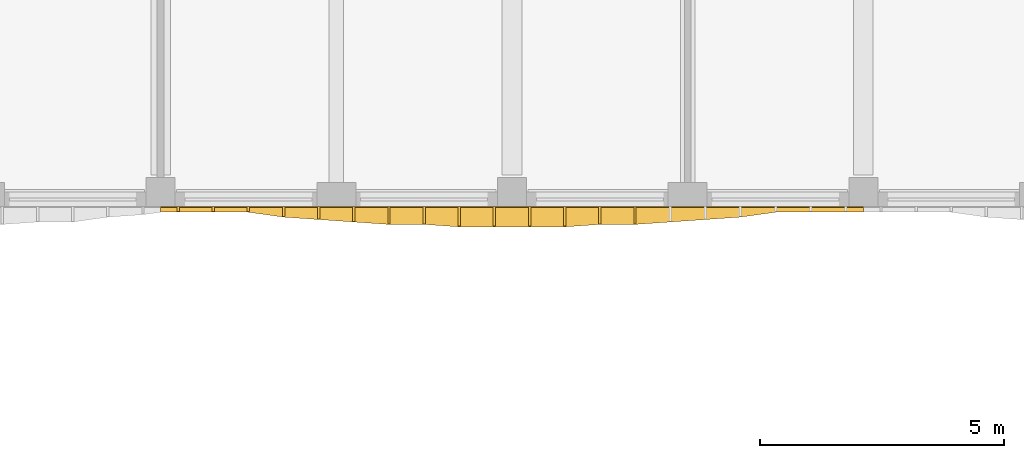
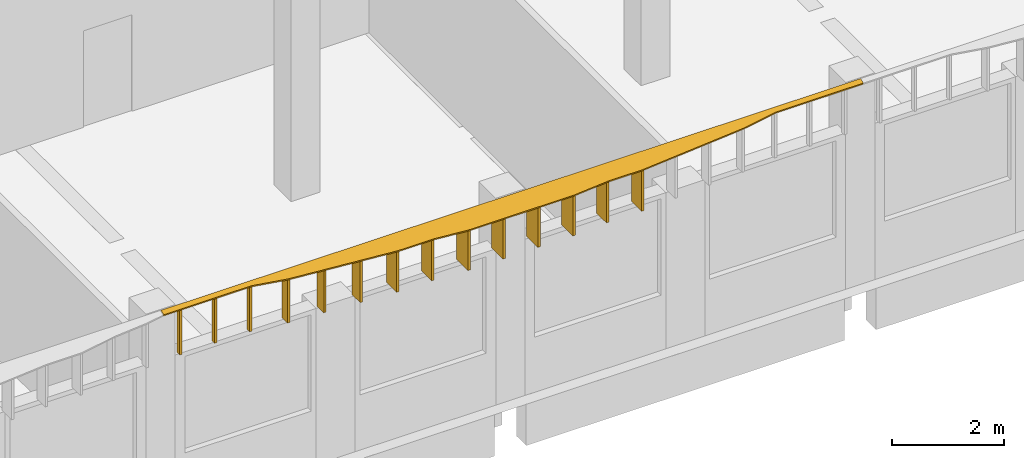
# One storey, part 31 of 44: 15 shading devices.
"""IFC4 building model written with IfcOpenShell, lengths in metres."""

import ifcopenshell
import ifcopenshell.guid

model = None  # the IFC model being written
_history = None  # IfcOwnerHistory: only IFC2X3 demands one
_inside = {}  # id of a spatial element -> (the spatial element, [elements in it])
_under = {}  # id of a project, library or spatial element -> (it, [spatial elements below it])
_declared = {}  # id of a project -> (the project, [libraries it declares])
_typed = {}  # id of a type object -> (the type object, [elements of that type])
_made_of = {}  # id of a material, layer set ... -> (it, [elements and type objects made of it])


def new_model(schema):
    """Start an empty IFC model of exactly this schema.

    Asked for "IFC4X3", IfcOpenShell would pick the latest addendum, in which some entities
    have other attributes; the version numbers below select the first issue.
    IFC2X3 requires an IfcOwnerHistory on every rooted entity: one is made here for all.
    """
    global model, _history
    if schema == "IFC4X3":
        model = ifcopenshell.file(schema_version=(4, 3, 0, 0))
    else:
        model = ifcopenshell.file(schema=schema)
    _inside.clear()
    _under.clear()
    _declared.clear()
    _typed.clear()
    _made_of.clear()
    _history = None
    if model.schema == "IFC2X3":
        org = make("IfcOrganization", Name="unknown")
        user = make(
            "IfcPersonAndOrganization",
            ThePerson=make("IfcPerson", FamilyName="unknown"),
            TheOrganization=org,
        )
        app = make(
            "IfcApplication",
            ApplicationDeveloper=org,
            Version="unknown",
            ApplicationFullName="unknown",
            ApplicationIdentifier="unknown",
        )
        _history = make(
            "IfcOwnerHistory",
            OwningUser=user,
            OwningApplication=app,
            ChangeAction="ADDED",
            CreationDate=0,
        )
    return model


def make(cls, **values):
    """One entity of the class cls with the attributes given. An attribute that is None is left unset."""
    return model.create_entity(
        cls, **{name: value for name, value in values.items() if value is not None}
    )


def rooted(cls, **values):
    """An entity with a GlobalId (a new one), such as an element, a storey or a relation."""
    return make(cls, GlobalId=ifcopenshell.guid.new(), OwnerHistory=_history, **values)


def si_unit(unit_type, name, prefix=None):
    """IfcSIUnit, for example si_unit("LENGTHUNIT", "METRE", prefix="MILLI")."""
    return make("IfcSIUnit", UnitType=unit_type, Prefix=prefix, Name=name)


def assignment(units):
    """IfcUnitAssignment: the units of a project."""
    return None if units is None else make("IfcUnitAssignment", Units=units)


def point(xyz):
    """IfcCartesianPoint."""
    return None if xyz is None else make("IfcCartesianPoint", Coordinates=xyz)


def direction(xyz):
    """IfcDirection."""
    return None if xyz is None else make("IfcDirection", DirectionRatios=xyz)


def frame(location, z_axis=None, x_axis=None):
    """IfcAxis2Placement3D, a coordinate frame: its origin and axes. An axis left out is left unset."""
    return make(
        "IfcAxis2Placement3D",
        Location=point(location),
        Axis=direction(z_axis),
        RefDirection=direction(x_axis),
    )


def origin():
    """The frame at (0, 0, 0) with its axes left unset."""
    return frame((0.0, 0.0, 0.0))


def place(relative_to, where):
    """IfcLocalPlacement: puts the frame where relative to a parent placement (None: the world)."""
    return make(
        "IfcLocalPlacement", PlacementRelTo=relative_to, RelativePlacement=where
    )


def context(
    kind, dimensions, precision=None, world=None, true_north=None, identifier=None
):
    """IfcGeometricRepresentationContext, for example the 3D "Model" context."""
    return make(
        "IfcGeometricRepresentationContext",
        ContextIdentifier=identifier,
        ContextType=kind,
        CoordinateSpaceDimension=dimensions,
        Precision=precision,
        WorldCoordinateSystem=world,
        TrueNorth=true_north,
    )


def subcontext(parent, identifier, kind, view, scale=None):
    """IfcGeometricRepresentationSubContext, for example "Body" below "Model"."""
    return make(
        "IfcGeometricRepresentationSubContext",
        ContextIdentifier=identifier,
        ContextType=kind,
        ParentContext=parent,
        TargetScale=scale,
        TargetView=view,
    )


def project(units=None, contexts=None):
    """IfcProject with its units and contexts."""
    return rooted(
        "IfcProject",
        Name="project",
        RepresentationContexts=contexts,
        UnitsInContext=assignment(units),
    )


def spatial(cls, under=None, at=None, **own):
    """A site, building, storey or space (cls), placed at a placement, below another one or the project."""
    s = rooted(cls, ObjectPlacement=at, **own)
    if under is not None:
        _under.setdefault(under.id(), (under, []))[1].append(s)
    return s


def polyline(points):
    """IfcPolyline through the points."""
    return make("IfcPolyline", Points=[point(p) for p in points])


def outline(outer, holes=None, kind="AREA"):
    """IfcArbitraryClosedProfileDef: a profile drawn as a closed curve; with holes, ...WithVoids."""
    if holes is None:
        return make("IfcArbitraryClosedProfileDef", ProfileType=kind, OuterCurve=outer)
    return make(
        "IfcArbitraryProfileDefWithVoids",
        ProfileType=kind,
        OuterCurve=outer,
        InnerCurves=holes,
    )


def extrude(swept, where, along, depth):
    """IfcExtrudedAreaSolid: the profile swept, set in the frame where, extruded along a direction by depth."""
    return make(
        "IfcExtrudedAreaSolid",
        SweptArea=swept,
        Position=where,
        ExtrudedDirection=direction(along),
        Depth=depth,
    )


def shape(context_of_items, identifier, shape_type, items):
    """IfcShapeRepresentation: the items that make up one representation, for example the "Body"."""
    return make(
        "IfcShapeRepresentation",
        ContextOfItems=context_of_items,
        RepresentationIdentifier=identifier,
        RepresentationType=shape_type,
        Items=items,
    )


def material(Name=None, Category=None):
    """IfcMaterial."""
    return make("IfcMaterial", Name=Name, Category=Category)


def layer(
    of_material, thickness, ventilated=None, Name=None, Category=None, Priority=None
):
    """IfcMaterialLayer: one layer of a wall or slab, of a material (None: an air gap)."""
    return make(
        "IfcMaterialLayer",
        Material=of_material,
        LayerThickness=thickness,
        IsVentilated=ventilated,
        Name=Name,
        Category=Category,
        Priority=Priority,
    )


def layer_set(layers, Name=None):
    """IfcMaterialLayerSet."""
    return make("IfcMaterialLayerSet", MaterialLayers=layers, LayerSetName=Name)


def made_of(thing, what):
    """Note that an element or type object is made of a material, layer set ...; save() writes the relation."""
    if what is not None:
        _made_of.setdefault(what.id(), (what, []))[1].append(thing)
    return thing


def type_object(cls, material=None, **own):
    """A type object (cls), such as IfcWallType, which elements share."""
    return made_of(rooted(cls, **own), material)


def element(
    cls,
    number,
    at=None,
    inside=None,
    cuts=None,
    type_object=None,
    material=None,
    context=None,
    identifier="Body",
    shape_type=None,
    held_by="IfcProductDefinitionShape",
    body=None,
    shapes=None,
    **own,
):
    """One element of the class cls, such as IfcWall. Its Tag is "e" and its number.

    at: its placement. inside: the storey or other place that contains it. cuts: it is an
    opening in that element (IfcRelVoidsElement). A single representation is given by context,
    identifier, shape_type and body (its items); several are given by shapes. held_by: the class
    of the entity that holds the representations. save() writes the other relations.
    """
    e = rooted(cls, Tag="e%d" % number, ObjectPlacement=at, **own)
    if body is not None:
        shapes = [shape(context, identifier, shape_type, body)]
    if shapes is not None:
        e.Representation = make(held_by, Representations=shapes)
    if inside is not None:
        _inside.setdefault(inside.id(), (inside, []))[1].append(e)
    if cuts is not None:
        rooted(
            "IfcRelVoidsElement", RelatingBuildingElement=cuts, RelatedOpeningElement=e
        )
    if type_object is not None:
        _typed.setdefault(type_object.id(), (type_object, []))[1].append(e)
    return made_of(e, material)


def aggregate(whole, parts):
    """IfcRelAggregates: a whole, such as a stair, and the parts it consists of."""
    return rooted("IfcRelAggregates", RelatingObject=whole, RelatedObjects=parts)


def save(model, path):
    """Write the relations noted so far, then the file.

    IfcRelAggregates (storeys below a building ...), IfcRelContainedInSpatialStructure (elements
    in a storey), IfcRelDefinesByType, IfcRelAssociatesMaterial and IfcRelDeclares: one each for
    every whole, place, type object, material and project.
    """
    for whole, parts in _under.values():
        aggregate(whole, parts)
    for where, things in _inside.values():
        rooted(
            "IfcRelContainedInSpatialStructure",
            RelatedElements=things,
            RelatingStructure=where,
        )
    for kind, things in _typed.values():
        rooted("IfcRelDefinesByType", RelatedObjects=things, RelatingType=kind)
    for what, things in _made_of.values():
        rooted("IfcRelAssociatesMaterial", RelatedObjects=things, RelatingMaterial=what)
    for by, libraries in _declared.values():
        rooted("IfcRelDeclares", RelatingContext=by, RelatedDefinitions=libraries)
    model.write(path)


model = new_model("IFC4")

# Units and contexts
model_context = context("Model", 3, precision=1e-05, world=origin(), true_north=direction((0.0, 1.0)))
body_context = subcontext(model_context, "Body", "Model", "MODEL_VIEW")
ifc_project = project(units=[si_unit("LENGTHUNIT", "METRE"), si_unit("AREAUNIT", "SQUARE_METRE"), si_unit("VOLUMEUNIT", "CUBIC_METRE"), si_unit("PLANEANGLEUNIT", "RADIAN"), si_unit("MASSUNIT", "GRAM", prefix="KILO")], contexts=[model_context])

# Site, building, storey
site_placement = place(None, origin())
site = spatial("IfcSite", under=ifc_project, at=site_placement, CompositionType="ELEMENT")
building_placement = place(site_placement, origin())
building = spatial("IfcBuilding", under=site, at=building_placement, Name="Ussher Court Research Institute", CompositionType="ELEMENT")
storey_placement = place(building_placement, frame((0.0, 0.0, 18.89990234375)))
storey = spatial("IfcBuildingStorey", under=building, at=storey_placement, Name="L04", CompositionType="ELEMENT", Elevation=18.89990234375)

# Shading devices
ifc_material_1 = material(Name="Bronze anodised aluminium", Category="aluminium")
ifc_layer_1 = layer(ifc_material_1, 0.050048828125)
ifc_layer_set_1 = layer_set([ifc_layer_1], Name="Bronze anodised aluminium")
shading_device_type_1 = type_object("IfcShadingDeviceType", Name="Brim blade 100 mm deep 1000 mm high canted 20 deg dry", PredefinedType="USERDEFINED", material=ifc_layer_set_1)
for number, where, z_axis, x_axis, name in (
    (1, (26.39990234375, 68.39990234375, 3.4501953125), (0.0, 0.0, 1.0), (0.0, -1.0, 0.0), "Brim blade BS17 L04"),
    (2, (25.679931640625, 68.39990234375, 3.4501953125), (0.0, 0.0, 1.0), (0.0, -1.0, 0.0), "Brim blade BS17 L04"),
    (3, (24.9599609375, 68.39990234375, 3.4501953125), (0.0, 0.0, 1.0), (0.0, -1.0, 0.0), "Brim blade BS17 L04"),
):
    element("IfcShadingDevice", number, at=place(storey_placement, frame(where, z_axis=z_axis, x_axis=x_axis)), inside=storey, type_object=shading_device_type_1, Name=name, ObjectType="BLADE", PredefinedType="USERDEFINED", context=body_context, shape_type="SweptSolid", body=[
        extrude(outline(polyline([(0.0, 0.0), (0.099853515625, 0.0), (0.10009765625, 0.963623046875), (0.0, 1.0), (0.0, 0.0)])), frame((0.0, 0.02490234375, 0.0), z_axis=(0.0, -1.0, 0.0), x_axis=(1.0, 0.0, 0.0)), (0.0, 0.0, 1.0), 0.050048828125),
    ])
ifc_material_2 = material(Name="Bronze anodised aluminium", Category="aluminium")
ifc_layer_2 = layer(ifc_material_2, 0.050048828125)
ifc_layer_set_2 = layer_set([ifc_layer_2], Name="Bronze anodised aluminium")
shading_device_type_2 = type_object("IfcShadingDeviceType", Name="Brim blade 200 mm deep 1000 mm high canted 20 deg dry", PredefinedType="USERDEFINED", material=ifc_layer_set_2)
shading_device_1_placement = place(storey_placement, frame((27.1201171875, 68.39990234375, 3.4501953125), z_axis=(0.0, 0.0, 1.0), x_axis=(0.0, -1.0, 0.0)))
element("IfcShadingDevice", 4, at=shading_device_1_placement, inside=storey, type_object=shading_device_type_2, Name="Brim blade BS15 L04", ObjectType="BLADE", PredefinedType="USERDEFINED", context=body_context, shape_type="SweptSolid", body=[
    extrude(outline(polyline([(0.0, 0.0), (0.199951171875, 0.0), (0.199951171875, 0.927001953125), (0.0, 1.0), (0.0, 0.0)])), frame((0.0, 0.02490234375, 0.0), z_axis=(0.0, -1.0, 0.0), x_axis=(1.0, 0.0, 0.0)), (0.0, 0.0, 1.0), 0.050048828125),
])
ifc_material_3 = material(Name="Bronze anodised aluminium", Category="aluminium")
ifc_layer_3 = layer(ifc_material_3, 0.050048828125)
ifc_layer_set_3 = layer_set([ifc_layer_3], Name="Bronze anodised aluminium")
shading_device_type_3 = type_object("IfcShadingDeviceType", Name="Brim blade 250 mm deep 1000 mm high canted 20 deg dry", PredefinedType="USERDEFINED", material=ifc_layer_set_3)
shading_device_2_placement = place(storey_placement, frame((27.840087890625, 68.39990234375, 3.4501953125), z_axis=(0.0, 0.0, 1.0), x_axis=(0.0, -1.0, 0.0)))
element("IfcShadingDevice", 5, at=shading_device_2_placement, inside=storey, type_object=shading_device_type_3, Name="Brim blade BS14 L04", ObjectType="BLADE", PredefinedType="USERDEFINED", context=body_context, shape_type="SweptSolid", body=[
    extrude(outline(polyline([(0.0, 0.0), (0.25, 0.0), (0.25, 0.908935546875), (0.0, 1.0), (0.0, 0.0)])), frame((0.0, 0.02490234375, 0.0), z_axis=(0.0, -1.0, 0.0), x_axis=(1.0, 0.0, 0.0)), (0.0, 0.0, 1.0), 0.050048828125),
])
ifc_material_4 = material(Name="Bronze anodised aluminium", Category="aluminium")
ifc_layer_4 = layer(ifc_material_4, 0.050048828125)
ifc_layer_set_4 = layer_set([ifc_layer_4], Name="Bronze anodised aluminium")
shading_device_type_4 = type_object("IfcShadingDeviceType", Name="Brim blade 300 mm deep 1000 mm high canted 20 deg dry", PredefinedType="USERDEFINED", material=ifc_layer_set_4)
shading_device_3_placement = place(storey_placement, frame((28.56005859375, 68.39990234375, 3.4501953125), z_axis=(0.0, 0.0, 1.0), x_axis=(0.0, -1.0, 0.0)))
element("IfcShadingDevice", 6, at=shading_device_3_placement, inside=storey, type_object=shading_device_type_4, Name="Brim blade BS13 L04", ObjectType="BLADE", PredefinedType="USERDEFINED", context=body_context, shape_type="SweptSolid", body=[
    extrude(outline(polyline([(0.0, 0.0), (0.2998046875, 0.0), (0.300048828125, 0.890625), (0.0, 1.0), (0.0, 0.0)])), frame((0.0, 0.02490234375, 0.0), z_axis=(0.0, -1.0, 0.0), x_axis=(1.0, 0.0, 0.0)), (0.0, 0.0, 1.0), 0.050048828125),
])
ifc_material_5 = material(Name="Bronze anodised aluminium", Category="aluminium")
ifc_layer_5 = layer(ifc_material_5, 0.050048828125)
ifc_layer_set_5 = layer_set([ifc_layer_5], Name="Bronze anodised aluminium")
shading_device_type_5 = type_object("IfcShadingDeviceType", Name="Brim blade 350 mm deep 1000 mm high canted 20 deg dry", PredefinedType="USERDEFINED", material=ifc_layer_set_5)
for number, where, z_axis, x_axis, name in (
    (7, (34.320068359375, 68.39990234375, 3.4501953125), (0.0, 0.0, 1.0), (0.0, -1.0, 0.0), "Brim blade BS12 L04"),
    (8, (33.60009765625, 68.39990234375, 3.4501953125), (0.0, 0.0, 1.0), (0.0, -1.0, 0.0), "Brim blade BS12 L04"),
    (9, (30.0, 68.39990234375, 3.4501953125), (0.0, 0.0, 1.0), (0.0, -1.0, 0.0), "Brim blade BS12 L04"),
    (10, (29.280029296875, 68.39990234375, 3.4501953125), (0.0, 0.0, 1.0), (0.0, -1.0, 0.0), "Brim blade BS12 L04"),
):
    element("IfcShadingDevice", number, at=place(storey_placement, frame(where, z_axis=z_axis, x_axis=x_axis)), inside=storey, type_object=shading_device_type_5, Name=name, ObjectType="BLADE", PredefinedType="USERDEFINED", context=body_context, shape_type="SweptSolid", body=[
        extrude(outline(polyline([(0.0, 0.0), (0.349853515625, 0.0), (0.35009765625, 0.87255859375), (0.0, 1.0), (0.0, 0.0)])), frame((0.0, 0.02490234375, 0.0), z_axis=(0.0, -1.0, 0.0), x_axis=(1.0, 0.0, 0.0)), (0.0, 0.0, 1.0), 0.050048828125),
    ])
ifc_material_6 = material(Name="Bronze anodised aluminium", Category="aluminium")
ifc_layer_6 = layer(ifc_material_6, 0.050048828125)
ifc_layer_set_6 = layer_set([ifc_layer_6], Name="Bronze anodised aluminium")
shading_device_type_6 = type_object("IfcShadingDeviceType", Name="Brim blade 400 mm deep 1000 mm high canted 20 deg dry", PredefinedType="USERDEFINED", material=ifc_layer_set_6)
for number, where, z_axis, x_axis, name in (
    (11, (32.8798828125, 68.39990234375, 3.4501953125), (0.0, 0.0, 1.0), (0.0, -1.0, 0.0), "Brim blade BS11 L04"),
    (12, (32.159912109375, 68.39990234375, 3.4501953125), (0.0, 0.0, 1.0), (0.0, -1.0, 0.0), "Brim blade BS11 L04"),
    (13, (31.43994140625, 68.39990234375, 3.4501953125), (0.0, 0.0, 1.0), (0.0, -1.0, 0.0), "Brim blade BS11 L04"),
    (14, (30.719970703125, 68.39990234375, 3.4501953125), (0.0, 0.0, 1.0), (0.0, -1.0, 0.0), "Brim blade BS11 L04"),
):
    element("IfcShadingDevice", number, at=place(storey_placement, frame(where, z_axis=z_axis, x_axis=x_axis)), inside=storey, type_object=shading_device_type_6, Name=name, ObjectType="BLADE", PredefinedType="USERDEFINED", context=body_context, shape_type="SweptSolid", body=[
        extrude(outline(polyline([(0.0, 0.0), (0.39990234375, 0.0), (0.39990234375, 0.854248046875), (0.0, 1.0), (0.0, 0.0)])), frame((0.0, 0.02490234375, 0.0), z_axis=(0.0, -1.0, 0.0), x_axis=(1.0, 0.0, 0.0)), (0.0, 0.0, 1.0), 0.050048828125),
    ])
ifc_material_7 = material(Name="Bronze anodised aluminium", Category="aluminium")
ifc_layer_7 = layer(ifc_material_7, 0.0400390625)
ifc_layer_set_7 = layer_set([ifc_layer_7], Name="Bronze anodised aluminium")
shading_device_type_7 = type_object("IfcShadingDeviceType", Name="Brim visor sheet 40 mm canted 20 deg dry", PredefinedType="USERDEFINED", material=ifc_layer_set_7)
shading_device_4_placement = place(storey_placement, frame((39.0, 68.38623046875, 4.48779296875), z_axis=(0.0, -0.342400477754, 0.939554103197), x_axis=(-1.0, 0.0, 0.0)))
element("IfcShadingDevice", 15, at=shading_device_4_placement, inside=storey, type_object=shading_device_type_7, Name="Brim visor sheet BR2 L04", ObjectType="BRIM", PredefinedType="USERDEFINED", context=body_context, shape_type="SweptSolid", body=[
    extrude(outline(polyline([(0.0, 0.0), (14.39990234375, 0.0), (14.39990234375, 0.10627326645332352), (14.0400390625, 0.10627326645332352), (13.320068359375, 0.10627326645332352), (12.60009765625, 0.10627326645332352), (11.8798828125, 0.21285951009926202), (11.159912109375, 0.26606903805559207), (10.43994140625, 0.31936215987856126), (9.719970703125, 0.3723423045089156), (9.0, 0.3723423045089156), (8.280029296875, 0.42563542633188484), (7.56005859375, 0.42563542633188484), (6.840087890625, 0.42563542633188484), (6.1201171875, 0.42563542633188484), (5.39990234375, 0.3723423045089156), (4.679931640625, 0.3723423045089156), (3.9599609375, 0.31936215987856126), (3.239990234375, 0.26606903805559207), (2.52001953125, 0.21285951009926202), (1.800048828125, 0.10627326645332352), (1.080078125, 0.10627326645332352), (0.360107421875, 0.10627326645332352), (0.0, 0.10627326645332352), (0.0, 0.0)])), origin(), (0.0, 0.0, -1.0), 0.0400390625),
])

save(model, "model.ifc")
